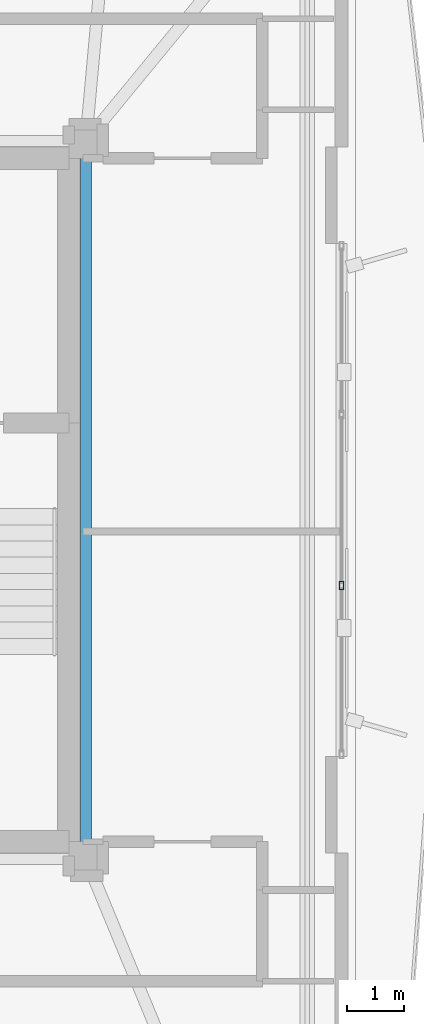
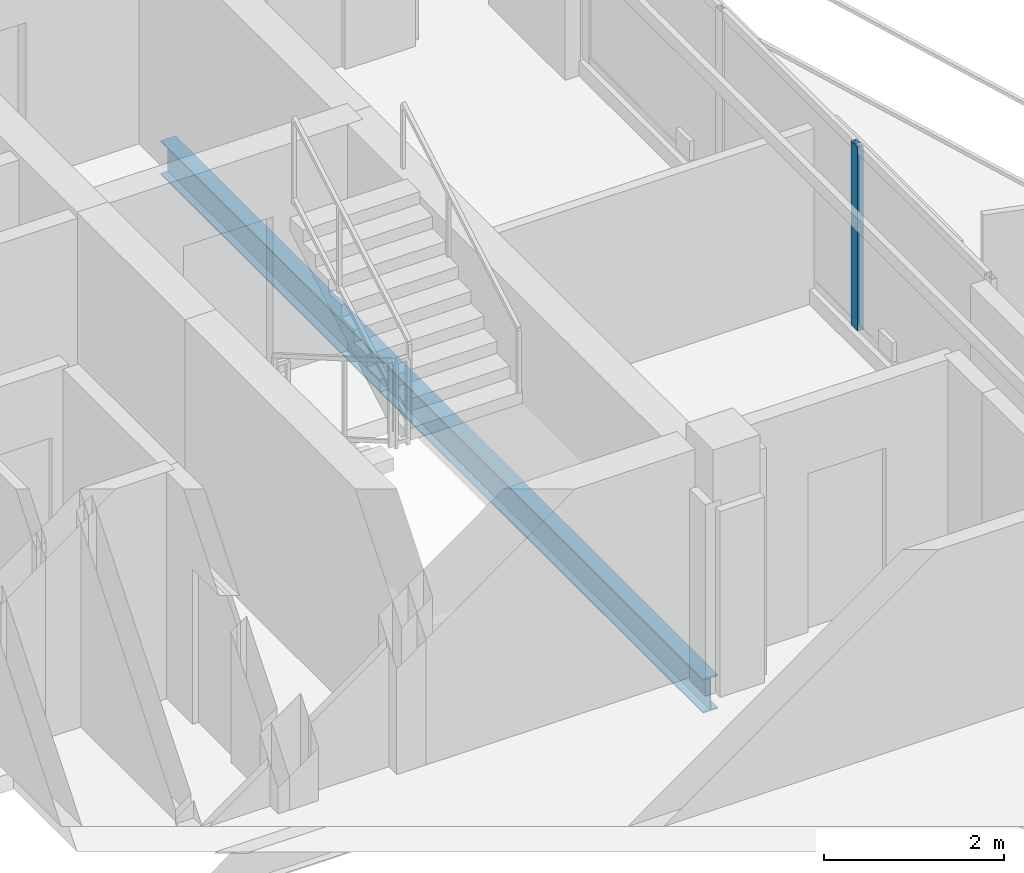
# One storey, part 11 of 22: 1 beam, 1 member, 1 element without a shape of its own.
"""IFC4 building model written with IfcOpenShell, lengths in metres."""

from ifc_helpers import new_model, si_unit, direction, frame, origin, origin_2d, place, context, subcontext, project, spatial, hollow_rectangle, i_section, extrude, material, layer, layer_set, material_profile, profile_set, type_object, element, aggregate, save


model = new_model("IFC4")

# Units and contexts
model_context = context("Model", 3, precision=1e-05, world=origin(), true_north=direction((0.0, 1.0)))
body_context = subcontext(model_context, "Body", "Model", "MODEL_VIEW")
ifc_project = project(units=[si_unit("LENGTHUNIT", "METRE"), si_unit("AREAUNIT", "SQUARE_METRE"), si_unit("VOLUMEUNIT", "CUBIC_METRE"), si_unit("PLANEANGLEUNIT", "RADIAN"), si_unit("MASSUNIT", "GRAM", prefix="KILO")], contexts=[model_context])

# Site, building, storey
site_placement = place(None, origin())
site = spatial("IfcSite", under=ifc_project, at=site_placement, CompositionType="ELEMENT")
building_placement = place(site_placement, origin())
building = spatial("IfcBuilding", under=site, at=building_placement, Name="Mersakhor Tower and Convention Hall", CompositionType="ELEMENT")
storey_placement = place(building_placement, frame((0.0, 0.0, 201.89990234375)))
storey = spatial("IfcBuildingStorey", under=building, at=storey_placement, Name="L56", CompositionType="ELEMENT", Elevation=201.89990234375)

# Beam
ifc_material_1 = material(Name="Steel S355", Category="steel")
ifc_material_profile_1 = material_profile(ifc_material_1, i_section(OverallWidth=0.19140625, OverallDepth=0.4599609375, WebThickness=0.010009765625, FlangeThickness=0.01611328125, at=origin_2d()), Name="UB 457x191x82")
ifc_profile_set_1 = profile_set([ifc_material_profile_1], Name="Steel S355")
beam_type = type_object("IfcBeamType", Name="BM-FB-457", PredefinedType="BEAM", material=ifc_profile_set_1)
beam_placement = place(storey_placement, frame((36.10009765625, 32.77001953125, -0.4599609375), z_axis=(0.0, -1.0, 0.0), x_axis=(1.0, 0.0, 0.0)))
element("IfcBeam", 1, at=beam_placement, inside=storey, type_object=beam_type, Name="L56 Core Ring Tie Beam CRB-3", PredefinedType="BEAM", context=body_context, shape_type="SweptSolid", body=[
    extrude(i_section(OverallWidth=0.19140625, OverallDepth=0.4599609375, WebThickness=0.010009765625, FlangeThickness=0.01611328125, at=origin_2d()), origin(), (0.0, 0.0, 1.0), 12.0400390625),
])

# Curtain wall, member
ifc_material_2 = material(Name="Dark solar low-E aluminium curtain wall", Category="aluminium")
ifc_layer = layer(ifc_material_2, 0.169921875)
ifc_layer_set = layer_set([ifc_layer], Name="Dark solar low-E aluminium curtain wall")
curtain_wall_type = type_object("IfcCurtainWallType", Name="CW-SYS-02", PredefinedType="USERDEFINED", material=ifc_layer_set)
curtain_wall_placement = place(storey_placement, origin())
curtain_wall = element("IfcCurtainWall", 2, at=curtain_wall_placement, inside=storey, type_object=curtain_wall_type, Name="L56 Dark-Glass Curtain Wall F2-B2", ObjectType="CURTAIN WALL", PredefinedType="USERDEFINED")
ifc_material_3 = material(Name="Anodised aluminium EN AW-6063 T6", Category="aluminium")
ifc_material_profile_2 = material_profile(ifc_material_3, hollow_rectangle(XDim=0.074951171875, YDim=0.14990234375, WallThickness=0.00634765625, at=origin_2d()), Name="RHS 150x75x6.3")
ifc_profile_set_2 = profile_set([ifc_material_profile_2], Name="Anodised aluminium EN AW-6063 T6")
member_type = type_object("IfcMemberType", Name="CWM-150x75", PredefinedType="MULLION", material=ifc_profile_set_2)
member_placement = place(storey_placement, frame((40.58837890625, 25.250244140625, 0.2001953125), z_axis=(0.0, 0.0, 1.0), x_axis=(1.0, 0.0, 0.0)))
member = element("IfcMember", 3, at=member_placement, type_object=member_type, Name="CW-02 mullion 3", PredefinedType="MULLION", context=body_context, shape_type="SweptSolid", body=[
    extrude(hollow_rectangle(XDim=0.074951171875, YDim=0.14990234375, WallThickness=0.00634765625, at=origin_2d()), origin(), (0.0, 0.0, 1.0), 2.489990234375),
])
aggregate(curtain_wall, [member])

save(model, "model.ifc")
